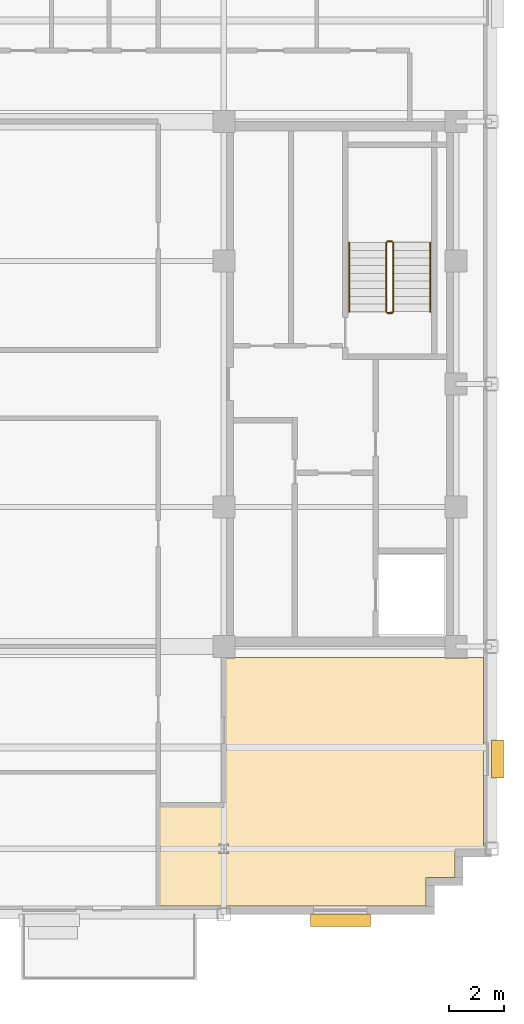
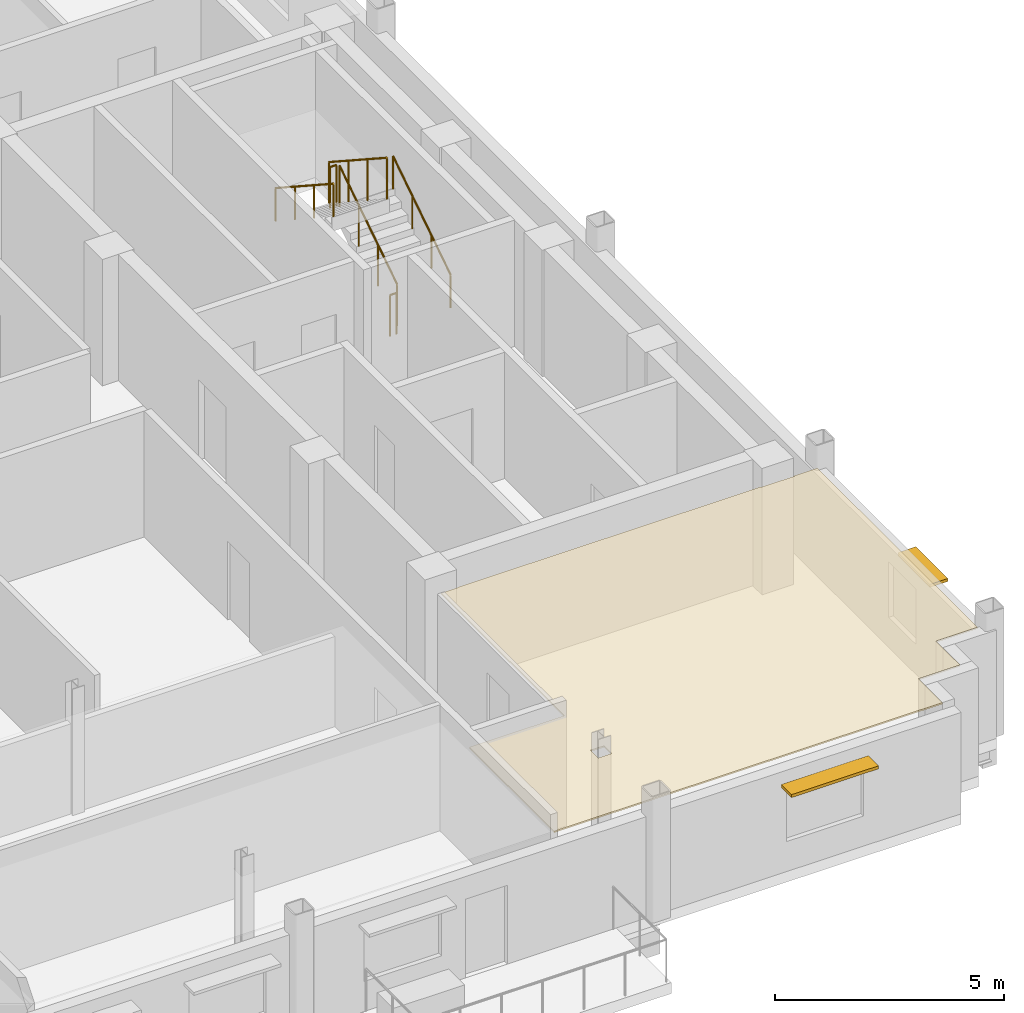
# One storey, part 12 of 13: 6 railings, 2 shading devices, 1 covering.
"""IFC4 building model written with IfcOpenShell, lengths in metres."""

import ifcopenshell
import ifcopenshell.guid

model = None  # the IFC model being written
_history = None  # IfcOwnerHistory: only IFC2X3 demands one
_inside = {}  # id of a spatial element -> (the spatial element, [elements in it])
_under = {}  # id of a project, library or spatial element -> (it, [spatial elements below it])
_declared = {}  # id of a project -> (the project, [libraries it declares])
_typed = {}  # id of a type object -> (the type object, [elements of that type])
_made_of = {}  # id of a material, layer set ... -> (it, [elements and type objects made of it])


def new_model(schema):
    """Start an empty IFC model of exactly this schema.

    Asked for "IFC4X3", IfcOpenShell would pick the latest addendum, in which some entities
    have other attributes; the version numbers below select the first issue.
    IFC2X3 requires an IfcOwnerHistory on every rooted entity: one is made here for all.
    """
    global model, _history
    if schema == "IFC4X3":
        model = ifcopenshell.file(schema_version=(4, 3, 0, 0))
    else:
        model = ifcopenshell.file(schema=schema)
    _inside.clear()
    _under.clear()
    _declared.clear()
    _typed.clear()
    _made_of.clear()
    _history = None
    if model.schema == "IFC2X3":
        org = make("IfcOrganization", Name="unknown")
        user = make(
            "IfcPersonAndOrganization",
            ThePerson=make("IfcPerson", FamilyName="unknown"),
            TheOrganization=org,
        )
        app = make(
            "IfcApplication",
            ApplicationDeveloper=org,
            Version="unknown",
            ApplicationFullName="unknown",
            ApplicationIdentifier="unknown",
        )
        _history = make(
            "IfcOwnerHistory",
            OwningUser=user,
            OwningApplication=app,
            ChangeAction="ADDED",
            CreationDate=0,
        )
    return model


def make(cls, **values):
    """One entity of the class cls with the attributes given. An attribute that is None is left unset."""
    return model.create_entity(
        cls, **{name: value for name, value in values.items() if value is not None}
    )


def rooted(cls, **values):
    """An entity with a GlobalId (a new one), such as an element, a storey or a relation."""
    return make(cls, GlobalId=ifcopenshell.guid.new(), OwnerHistory=_history, **values)


def si_unit(unit_type, name, prefix=None):
    """IfcSIUnit, for example si_unit("LENGTHUNIT", "METRE", prefix="MILLI")."""
    return make("IfcSIUnit", UnitType=unit_type, Prefix=prefix, Name=name)


def assignment(units):
    """IfcUnitAssignment: the units of a project."""
    return None if units is None else make("IfcUnitAssignment", Units=units)


def point(xyz):
    """IfcCartesianPoint."""
    return None if xyz is None else make("IfcCartesianPoint", Coordinates=xyz)


def direction(xyz):
    """IfcDirection."""
    return None if xyz is None else make("IfcDirection", DirectionRatios=xyz)


def frame(location, z_axis=None, x_axis=None):
    """IfcAxis2Placement3D, a coordinate frame: its origin and axes. An axis left out is left unset."""
    return make(
        "IfcAxis2Placement3D",
        Location=point(location),
        Axis=direction(z_axis),
        RefDirection=direction(x_axis),
    )


def frame_2d(location, x_axis=None):
    """IfcAxis2Placement2D, a coordinate frame in the plane: its origin and x axis."""
    return make(
        "IfcAxis2Placement2D", Location=point(location), RefDirection=direction(x_axis)
    )


def origin():
    """The frame at (0, 0, 0) with its axes left unset."""
    return frame((0.0, 0.0, 0.0))


def origin_2d():
    """The frame at (0, 0) in the plane with its x axis left unset."""
    return frame_2d((0.0, 0.0))


def place(relative_to, where):
    """IfcLocalPlacement: puts the frame where relative to a parent placement (None: the world)."""
    return make(
        "IfcLocalPlacement", PlacementRelTo=relative_to, RelativePlacement=where
    )


def context(
    kind, dimensions, precision=None, world=None, true_north=None, identifier=None
):
    """IfcGeometricRepresentationContext, for example the 3D "Model" context."""
    return make(
        "IfcGeometricRepresentationContext",
        ContextIdentifier=identifier,
        ContextType=kind,
        CoordinateSpaceDimension=dimensions,
        Precision=precision,
        WorldCoordinateSystem=world,
        TrueNorth=true_north,
    )


def subcontext(parent, identifier, kind, view, scale=None):
    """IfcGeometricRepresentationSubContext, for example "Body" below "Model"."""
    return make(
        "IfcGeometricRepresentationSubContext",
        ContextIdentifier=identifier,
        ContextType=kind,
        ParentContext=parent,
        TargetScale=scale,
        TargetView=view,
    )


def project(units=None, contexts=None):
    """IfcProject with its units and contexts."""
    return rooted(
        "IfcProject",
        Name="project",
        RepresentationContexts=contexts,
        UnitsInContext=assignment(units),
    )


def spatial(cls, under=None, at=None, **own):
    """A site, building, storey or space (cls), placed at a placement, below another one or the project."""
    s = rooted(cls, ObjectPlacement=at, **own)
    if under is not None:
        _under.setdefault(under.id(), (under, []))[1].append(s)
    return s


def polyline(points):
    """IfcPolyline through the points."""
    return make("IfcPolyline", Points=[point(p) for p in points])


def profile(cls, at=None, kind="AREA", **sizes):
    """A parametric profile (cls). Its sizes go by their IFC names, for example OverallWidth=200.0."""
    return make(cls, ProfileType=kind, Position=at, **sizes)


def rectangle(**sizes):
    """IfcRectangleProfileDef."""
    return profile("IfcRectangleProfileDef", **sizes)


def circle(**sizes):
    """IfcCircleProfileDef."""
    return profile("IfcCircleProfileDef", **sizes)


def outline(outer, holes=None, kind="AREA"):
    """IfcArbitraryClosedProfileDef: a profile drawn as a closed curve; with holes, ...WithVoids."""
    if holes is None:
        return make("IfcArbitraryClosedProfileDef", ProfileType=kind, OuterCurve=outer)
    return make(
        "IfcArbitraryProfileDefWithVoids",
        ProfileType=kind,
        OuterCurve=outer,
        InnerCurves=holes,
    )


def extrude(swept, where, along, depth):
    """IfcExtrudedAreaSolid: the profile swept, set in the frame where, extruded along a direction by depth."""
    return make(
        "IfcExtrudedAreaSolid",
        SweptArea=swept,
        Position=where,
        ExtrudedDirection=direction(along),
        Depth=depth,
    )


def shape(context_of_items, identifier, shape_type, items):
    """IfcShapeRepresentation: the items that make up one representation, for example the "Body"."""
    return make(
        "IfcShapeRepresentation",
        ContextOfItems=context_of_items,
        RepresentationIdentifier=identifier,
        RepresentationType=shape_type,
        Items=items,
    )


def source(mapping_origin, context_of_items, identifier, shape_type, items):
    """IfcRepresentationMap: a shape defined once, which mapped items show again and again."""
    return make(
        "IfcRepresentationMap",
        MappingOrigin=mapping_origin,
        MappedRepresentation=shape(context_of_items, identifier, shape_type, items),
    )


def transform(
    local_origin,
    x_axis=None,
    y_axis=None,
    z_axis=None,
    scale=None,
    scale2=None,
    scale3=None,
    uniform=True,
):
    """IfcCartesianTransformationOperator3D, or its non-uniform kind. x_axis, y_axis, z_axis: its Axis1, 2, 3."""
    if uniform:
        return make(
            "IfcCartesianTransformationOperator3D",
            Axis1=direction(x_axis),
            Axis2=direction(y_axis),
            LocalOrigin=point(local_origin),
            Scale=scale,
            Axis3=direction(z_axis),
        )
    return make(
        "IfcCartesianTransformationOperator3DnonUniform",
        Axis1=direction(x_axis),
        Axis2=direction(y_axis),
        LocalOrigin=point(local_origin),
        Scale=scale,
        Axis3=direction(z_axis),
        Scale2=scale2,
        Scale3=scale3,
    )


def mapped(mapping_source, mapping_target):
    """IfcMappedItem: shows the shape of a source again, moved by a transform."""
    return make(
        "IfcMappedItem", MappingSource=mapping_source, MappingTarget=mapping_target
    )


def material(Name=None, Category=None):
    """IfcMaterial."""
    return make("IfcMaterial", Name=Name, Category=Category)


def layer(
    of_material, thickness, ventilated=None, Name=None, Category=None, Priority=None
):
    """IfcMaterialLayer: one layer of a wall or slab, of a material (None: an air gap)."""
    return make(
        "IfcMaterialLayer",
        Material=of_material,
        LayerThickness=thickness,
        IsVentilated=ventilated,
        Name=Name,
        Category=Category,
        Priority=Priority,
    )


def layer_set(layers, Name=None):
    """IfcMaterialLayerSet."""
    return make("IfcMaterialLayerSet", MaterialLayers=layers, LayerSetName=Name)


def made_of(thing, what):
    """Note that an element or type object is made of a material, layer set ...; save() writes the relation."""
    if what is not None:
        _made_of.setdefault(what.id(), (what, []))[1].append(thing)
    return thing


def type_object(cls, material=None, **own):
    """A type object (cls), such as IfcWallType, which elements share."""
    return made_of(rooted(cls, **own), material)


def type_shapes(of_type, sources):
    """Give a type object the sources (RepresentationMaps) that its elements show as mapped items."""
    of_type.RepresentationMaps = sources


def element(
    cls,
    number,
    at=None,
    inside=None,
    cuts=None,
    type_object=None,
    material=None,
    context=None,
    identifier="Body",
    shape_type=None,
    held_by="IfcProductDefinitionShape",
    body=None,
    shapes=None,
    **own,
):
    """One element of the class cls, such as IfcWall. Its Tag is "e" and its number.

    at: its placement. inside: the storey or other place that contains it. cuts: it is an
    opening in that element (IfcRelVoidsElement). A single representation is given by context,
    identifier, shape_type and body (its items); several are given by shapes. held_by: the class
    of the entity that holds the representations. save() writes the other relations.
    """
    e = rooted(cls, Tag="e%d" % number, ObjectPlacement=at, **own)
    if body is not None:
        shapes = [shape(context, identifier, shape_type, body)]
    if shapes is not None:
        e.Representation = make(held_by, Representations=shapes)
    if inside is not None:
        _inside.setdefault(inside.id(), (inside, []))[1].append(e)
    if cuts is not None:
        rooted(
            "IfcRelVoidsElement", RelatingBuildingElement=cuts, RelatedOpeningElement=e
        )
    if type_object is not None:
        _typed.setdefault(type_object.id(), (type_object, []))[1].append(e)
    return made_of(e, material)


def aggregate(whole, parts):
    """IfcRelAggregates: a whole, such as a stair, and the parts it consists of."""
    return rooted("IfcRelAggregates", RelatingObject=whole, RelatedObjects=parts)


def save(model, path):
    """Write the relations noted so far, then the file.

    IfcRelAggregates (storeys below a building ...), IfcRelContainedInSpatialStructure (elements
    in a storey), IfcRelDefinesByType, IfcRelAssociatesMaterial and IfcRelDeclares: one each for
    every whole, place, type object, material and project.
    """
    for whole, parts in _under.values():
        aggregate(whole, parts)
    for where, things in _inside.values():
        rooted(
            "IfcRelContainedInSpatialStructure",
            RelatedElements=things,
            RelatingStructure=where,
        )
    for kind, things in _typed.values():
        rooted("IfcRelDefinesByType", RelatedObjects=things, RelatingType=kind)
    for what, things in _made_of.values():
        rooted("IfcRelAssociatesMaterial", RelatedObjects=things, RelatingMaterial=what)
    for by, libraries in _declared.values():
        rooted("IfcRelDeclares", RelatingContext=by, RelatedDefinitions=libraries)
    model.write(path)


model = new_model("IFC4")

# Units and contexts
model_context = context("Model", 3, precision=1e-05, world=origin(), true_north=direction((0.0, 1.0)))
body_context = subcontext(model_context, "Body", "Model", "MODEL_VIEW")
ifc_project = project(units=[si_unit("LENGTHUNIT", "METRE"), si_unit("AREAUNIT", "SQUARE_METRE"), si_unit("VOLUMEUNIT", "CUBIC_METRE"), si_unit("PLANEANGLEUNIT", "RADIAN"), si_unit("MASSUNIT", "GRAM", prefix="KILO")], contexts=[model_context])

# Site, building, storey
site_placement = place(None, origin())
site = spatial("IfcSite", under=ifc_project, at=site_placement, CompositionType="ELEMENT")
building_placement = place(site_placement, origin())
building = spatial("IfcBuilding", under=site, at=building_placement, Name="Nuvemarco Arch Tower", CompositionType="ELEMENT")
storey_placement = place(building_placement, frame((0.0, 0.0, 234.699951171875)))
storey = spatial("IfcBuildingStorey", under=building, at=storey_placement, Name="L62", CompositionType="ELEMENT", Elevation=234.699951171875)

# Covering
ifc_material_1 = material(Name="Mineral acoustic ceiling tile")
ifc_layer = layer(ifc_material_1, 0.0400390625, Name="COV-ACOUSTIC-CLG")
ifc_layer_set = layer_set([ifc_layer], Name="Mineral acoustic ceiling tile")
covering_type = type_object("IfcCoveringType", Name="COV-ACOUSTIC-CLG", PredefinedType="CEILING", material=ifc_layer_set)
covering_placement = place(storey_placement, frame((0.0, 0.0, 2.85009765625)))
element("IfcCovering", 1, at=covering_placement, inside=storey, type_object=covering_type, Name="L62 suspended acoustic ceiling 1", PredefinedType="CEILING", context=body_context, shape_type="SweptSolid", body=[
    extrude(outline(polyline([(16.39990234375, -19.10009765625), (6.60009765625, -19.10009765625), (6.60009765625, -15.39990234375), (9.0, -15.39990234375), (9.0, -10.014892578125), (9.4150390625, -10.014892578125), (9.4150390625, -10.0), (17.0849609375, -10.0), (17.0849609375, -10.014892578125), (17.9150390625, -10.014892578125), (17.9150390625, -10.0), (18.5, -10.0), (18.5, -17.0), (17.449951171875, -17.0), (17.449951171875, -18.050048828125), (16.39990234375, -18.050048828125), (16.39990234375, -19.10009765625)]), holes=[polyline([(9.169921875, -17.169921875), (9.169921875, -16.830078125), (8.830078125, -16.830078125), (8.830078125, -17.169921875), (9.169921875, -17.169921875)])]), origin(), (0.0, 0.0, 1.0), 0.0400390625),
])

# Railings
ifc_material_2 = material(Name="Brushed stainless steel handrail", Category="steel")
railing_type_1 = type_object("IfcRailingType", Name="RL-HANDRAIL-900", PredefinedType="HANDRAIL", material=ifc_material_2)
railing_1_placement = place(storey_placement, frame((16.550048828125, 2.64990234375, 0.1826171875)))
element("IfcRailing", 2, at=railing_1_placement, inside=storey, type_object=railing_type_1, Name="L62 ST-2 stair handrail 1", PredefinedType="HANDRAIL", context=body_context, shape_type="SweptSolid", body=[
    extrude(circle(Radius=0.02392578125, at=origin_2d()), frame((0.0, 0.0, 0.8759765625), z_axis=(0.0, 0.837786554691, 0.545997883492), x_axis=(-1.0, 0.0, 0.0)), (0.0, 0.0, 1.0), 3.008056640625),
    extrude(circle(Radius=0.02099609375, at=origin_2d()), origin(), (0.0, 0.0, 1.0), 0.851806640625),
    extrude(circle(Radius=0.02099609375, at=origin_2d()), frame((0.0, 0.840087890625, 0.54736328125)), (0.0, 0.0, 1.0), 0.851806640625),
    extrude(circle(Radius=0.02099609375, at=origin_2d()), frame((0.0, 1.679931640625, 1.094970703125)), (0.0, 0.0, 1.0), 0.851806640625),
    extrude(circle(Radius=0.02099609375, at=origin_2d()), frame((0.0, 2.52001953125, 1.642333984375)), (0.0, 0.0, 1.0), 0.851806640625),
])
railing_2_placement = place(storey_placement, frame((13.590087890625, 5.169921875, 2.007568359375)))
element("IfcRailing", 3, at=railing_2_placement, inside=storey, type_object=railing_type_1, Name="L62 ST-2 stair handrail 2", PredefinedType="HANDRAIL", context=body_context, shape_type="SweptSolid", body=[
    extrude(circle(Radius=0.02392578125, at=origin_2d()), frame((0.0, 0.0, 0.8759765625), z_axis=(0.0, -0.837749427056, 0.546054848405), x_axis=(1.0, 0.0, 0.0)), (0.0, 0.0, 1.0), 3.008056640625),
    extrude(circle(Radius=0.02099609375, at=origin_2d()), origin(), (0.0, 0.0, 1.0), 0.851806640625),
    extrude(circle(Radius=0.02099609375, at=origin_2d()), frame((0.0, -0.840087890625, 0.547607421875)), (0.0, 0.0, 1.0), 0.851806640625),
    extrude(circle(Radius=0.02099609375, at=origin_2d()), frame((0.0, -1.679931640625, 1.094970703125)), (0.0, 0.0, 1.0), 0.851806640625),
    extrude(circle(Radius=0.02099609375, at=origin_2d()), frame((0.0, -2.52001953125, 1.642578125)), (0.0, 0.0, 1.0), 0.851806640625),
])
ifc_material_3 = material(Name="Painted balustrade steel S355", Category="steel")
railing_type_2 = type_object("IfcRailingType", Name="RL-STAIR-GUARD", PredefinedType="GUARDRAIL", material=ifc_material_3)
railing_3_placement = place(storey_placement, frame((15.199951171875, 2.64990234375, 0.1826171875)))
element("IfcRailing", 4, at=railing_3_placement, inside=storey, type_object=railing_type_2, Name="L62 ST-2 stair guard 1", PredefinedType="GUARDRAIL", context=body_context, shape_type="SweptSolid", body=[
    extrude(circle(Radius=0.02392578125, at=origin_2d()), frame((0.0, 0.0, 1.09619140625), z_axis=(0.0, 0.837786554691, 0.545997883492), x_axis=(-1.0, 0.0, 0.0)), (0.0, 0.0, 1.0), 3.008056640625),
    extrude(circle(Radius=0.02099609375, at=origin_2d()), origin(), (0.0, 0.0, 1.0), 1.072021484375),
    extrude(circle(Radius=0.02099609375, at=origin_2d()), frame((0.0, 0.840087890625, 0.54736328125)), (0.0, 0.0, 1.0), 1.072021484375),
    extrude(circle(Radius=0.02099609375, at=origin_2d()), frame((0.0, 1.679931640625, 1.094970703125)), (0.0, 0.0, 1.0), 1.072021484375),
    extrude(circle(Radius=0.02099609375, at=origin_2d()), frame((0.0, 2.52001953125, 1.642333984375)), (0.0, 0.0, 1.0), 1.072021484375),
])
railing_4_placement = place(storey_placement, frame((15.14990234375, 5.219970703125, 1.824951171875)))
element("IfcRailing", 5, at=railing_4_placement, inside=storey, type_object=railing_type_2, Name="L62 ST-2 stair guard 2", PredefinedType="GUARDRAIL", context=body_context, shape_type="SweptSolid", body=[
    extrude(circle(Radius=0.02392578125, at=origin_2d()), frame((0.0, 0.0, 1.09619140625), z_axis=(-1.0, 0.0, 0.0), x_axis=(0.0, -1.0, 0.0)), (0.0, 0.0, 1.0), 0.159912109375),
    extrude(circle(Radius=0.02099609375, at=origin_2d()), origin(), (0.0, 0.0, 1.0), 1.072021484375),
    extrude(circle(Radius=0.02099609375, at=origin_2d()), frame((-0.159912109375, 0.0, 0.0)), (0.0, 0.0, 1.0), 1.072021484375),
])
railing_5_placement = place(storey_placement, frame((14.93994140625, 5.169921875, 2.007568359375)))
element("IfcRailing", 6, at=railing_5_placement, inside=storey, type_object=railing_type_2, Name="L62 ST-2 stair guard 3", PredefinedType="GUARDRAIL", context=body_context, shape_type="SweptSolid", body=[
    extrude(circle(Radius=0.02392578125, at=origin_2d()), frame((0.0, 0.0, 1.09619140625), z_axis=(0.0, -0.837749427056, 0.546054848405), x_axis=(1.0, 0.0, 0.0)), (0.0, 0.0, 1.0), 3.008056640625),
    extrude(circle(Radius=0.02099609375, at=origin_2d()), origin(), (0.0, 0.0, 1.0), 1.072021484375),
    extrude(circle(Radius=0.02099609375, at=origin_2d()), frame((0.0, -0.840087890625, 0.547607421875)), (0.0, 0.0, 1.0), 1.072021484375),
    extrude(circle(Radius=0.02099609375, at=origin_2d()), frame((0.0, -1.679931640625, 1.094970703125)), (0.0, 0.0, 1.0), 1.072021484375),
    extrude(circle(Radius=0.02099609375, at=origin_2d()), frame((0.0, -2.52001953125, 1.642578125)), (0.0, 0.0, 1.0), 1.072021484375),
])
railing_6_placement = place(storey_placement, frame((15.14990234375, 2.60009765625, 0.0)))
element("IfcRailing", 7, at=railing_6_placement, inside=storey, type_object=railing_type_2, Name="L62 ST-2 stair guard 4", PredefinedType="GUARDRAIL", context=body_context, shape_type="SweptSolid", body=[
    extrude(circle(Radius=0.02392578125, at=origin_2d()), frame((0.0, 0.0, 1.09619140625), z_axis=(-1.0, 0.0, 0.0), x_axis=(0.0, -1.0, 0.0)), (0.0, 0.0, 1.0), 0.159912109375),
    extrude(circle(Radius=0.02099609375, at=origin_2d()), origin(), (0.0, 0.0, 1.0), 1.072021484375),
    extrude(circle(Radius=0.02099609375, at=origin_2d()), frame((-0.159912109375, 0.0, 0.0)), (0.0, 0.0, 1.0), 1.072021484375),
])

# Shading devices
ifc_material_4 = material(Name="Anodised aluminium 6063-T6", Category="aluminium")
shading_device_type_1 = type_object("IfcShadingDeviceType", Name="SHD-BRISE-SOLEIL", PredefinedType="USERDEFINED", material=ifc_material_4)
shared_shape_1 = source(origin(), body_context, "Body", "SweptSolid", [
    extrude(rectangle(XDim=2.199951171875, YDim=0.449951171875, at=origin_2d()), origin(), (0.0, 0.0, 1.0), 0.080078125),
])
type_shapes(shading_device_type_1, [shared_shape_1])
shading_device_1_placement = place(storey_placement, frame((13.262451171875, -19.614990234375, 2.284912109375), z_axis=(0.0, 0.0, 1.0), x_axis=(1.0, 0.0, 0.0)))
element("IfcShadingDevice", 8, at=shading_device_1_placement, inside=storey, type_object=shading_device_type_1, Name="L62 horizontal brise-soleil sunshade", ObjectType="SUNSHADE", PredefinedType="USERDEFINED", context=body_context, shape_type="MappedRepresentation", body=[
    mapped(shared_shape_1, transform((0.0, 0.0, 0.0), scale=1.0)),
])
shading_device_type_2 = type_object("IfcShadingDeviceType", Name="SHD-BRISE-NARROW", PredefinedType="USERDEFINED", material=ifc_material_4)
shared_shape_2 = source(origin(), body_context, "Body", "SweptSolid", [
    extrude(rectangle(XDim=1.39990234375, YDim=0.449951171875, at=origin_2d()), origin(), (0.0, 0.0, 1.0), 0.080078125),
])
type_shapes(shading_device_type_2, [shared_shape_2])
shading_device_2_placement = place(storey_placement, frame((19.014892578125, -13.7177734375, 2.284912109375), z_axis=(0.0, 0.0, 1.0), x_axis=(0.0, 1.0, 0.0)))
element("IfcShadingDevice", 9, at=shading_device_2_placement, inside=storey, type_object=shading_device_type_2, Name="L62 horizontal brise-soleil sunshade", ObjectType="SUNSHADE", PredefinedType="USERDEFINED", context=body_context, shape_type="MappedRepresentation", body=[
    mapped(shared_shape_2, transform((0.0, 0.0, 0.0), scale=1.0)),
])

save(model, "model.ifc")
